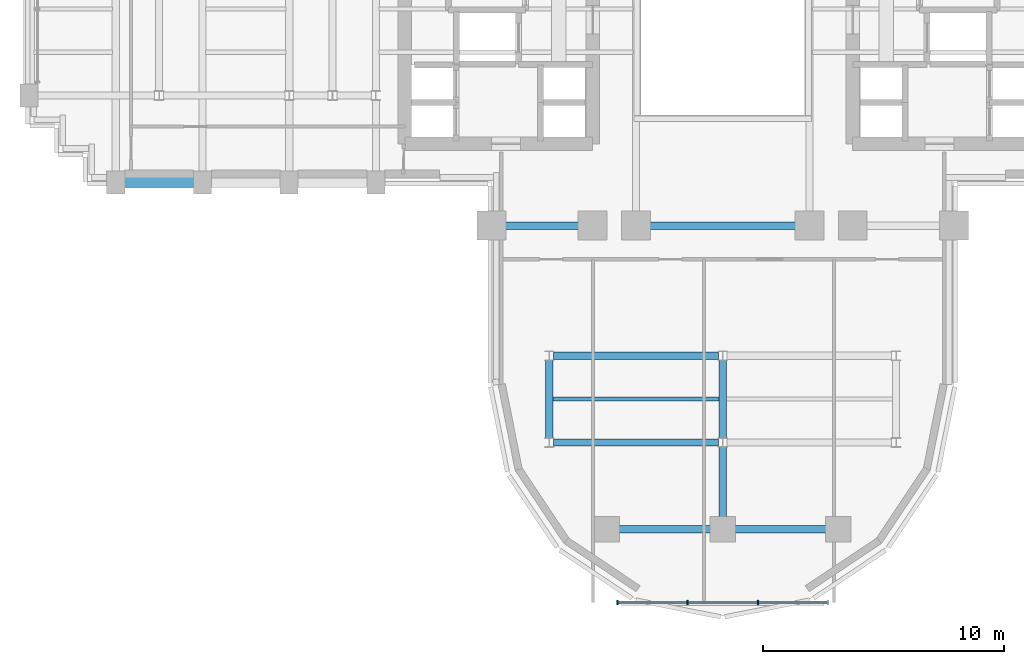
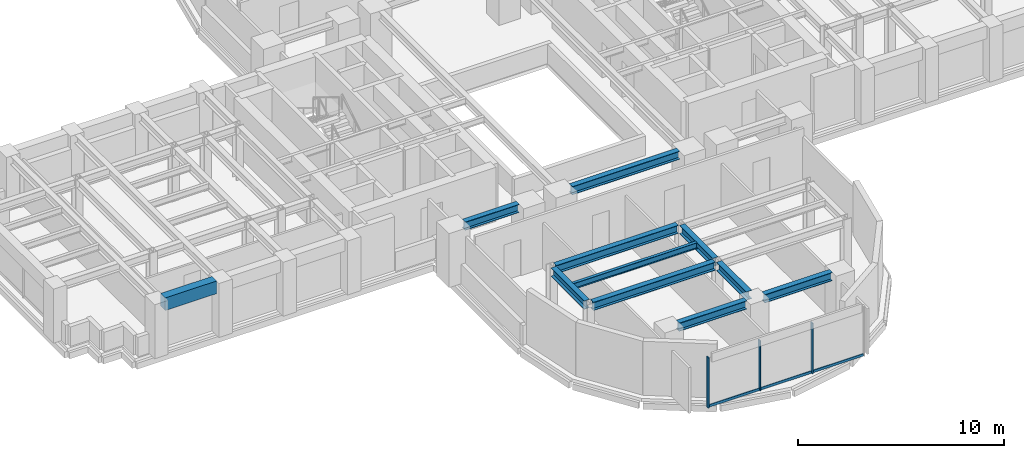
# One storey, part 3 of 16: 11 beams, 6 members, 1 element without a shape of its own.
"""IFC4 building model written with IfcOpenShell, lengths in metres."""

from ifc_helpers import new_model, si_unit, direction, frame, origin, origin_2d, place, context, subcontext, project, spatial, rectangle, i_section, extrude, source, transform, mapped, material, material_profile, profile_set, type_object, element, aggregate, save


model = new_model("IFC4")

# Units and contexts
model_context = context("Model", 3, precision=1e-05, world=origin(), true_north=direction((0.0, 1.0)))
body_context = subcontext(model_context, "Body", "Model", "MODEL_VIEW")
ifc_project = project(units=[si_unit("LENGTHUNIT", "METRE"), si_unit("AREAUNIT", "SQUARE_METRE"), si_unit("VOLUMEUNIT", "CUBIC_METRE"), si_unit("PLANEANGLEUNIT", "RADIAN"), si_unit("MASSUNIT", "GRAM", prefix="KILO")], contexts=[model_context])

# Site, building, storey
site_placement = place(None, origin())
site = spatial("IfcSite", under=ifc_project, at=site_placement, CompositionType="ELEMENT")
building_placement = place(site_placement, origin())
building = spatial("IfcBuilding", under=site, at=building_placement, Name="Keilestroom Media Tower", CompositionType="ELEMENT")
storey_placement = place(building_placement, frame((0.0, 0.0, 74.800048828125)))
storey = spatial("IfcBuildingStorey", under=building, at=storey_placement, Name="L19", CompositionType="ELEMENT", Elevation=74.800048828125)

# Beams
ifc_material_1 = material(Name="Precast concrete C40/50", Category="concrete")
ifc_material_profile_1 = material_profile(ifc_material_1, rectangle(XDim=0.449951171875, YDim=0.75, at=origin_2d()), Name="PC 450x750")
ifc_profile_set_1 = profile_set([ifc_material_profile_1], Name="Precast concrete C40/50")
beam_type_1 = type_object("IfcBeamType", Name="Perimeter-Spandrel-Beam-PC-450x750", PredefinedType="SPANDREL", material=ifc_profile_set_1)
shared_shape_1 = source(origin(), body_context, "Body", "SweptSolid", [
    extrude(rectangle(XDim=0.449951171875, YDim=0.75, at=origin_2d()), origin(), (0.0, 0.0, 1.0), 2.889892578125),
])
beam_1_placement = place(storey_placement, frame((-24.844970703125, -7.199951171875, 2.824951171875), z_axis=(1.0, 0.0, 0.0), x_axis=(0.0, 1.0, 0.0)))
element("IfcBeam", 1, at=beam_1_placement, inside=storey, type_object=beam_type_1, Name="L19 Beam SPB-1 BM-L19-EW-012", PredefinedType="SPANDREL", context=body_context, shape_type="MappedRepresentation", body=[
    mapped(shared_shape_1, transform((0.0, 0.0, 0.0), x_axis=(1.0, 0.0, 0.0), y_axis=(0.0, 1.0, 0.0), z_axis=(0.0, 0.0, 1.0), scale=1.0)),
])
ifc_material_2 = material(Name="Steel S355", Category="steel")
ifc_material_profile_2 = material_profile(ifc_material_2, i_section(OverallWidth=0.300048828125, OverallDepth=0.5, WebThickness=0.012451171875, FlangeThickness=0.028076171875, at=origin_2d()), Name="HEB 500")
ifc_profile_set_2 = profile_set([ifc_material_profile_2], Name="Steel S355")
beam_type_2 = type_object("IfcBeamType", Name="Primary-Structural-Girder-HEB-500", PredefinedType="BEAM", material=ifc_profile_set_2)
shared_shape_2 = source(origin(), body_context, "Body", "SweptSolid", [
    extrude(i_section(OverallWidth=0.300048828125, OverallDepth=0.5, WebThickness=0.012451171875, FlangeThickness=0.028076171875, at=origin_2d()), origin(), (0.0, 0.0, 1.0), 3.23291015625),
])
for number, where, z_axis, x_axis, name in (
    (2, (-7.199951171875, -17.81640625, 2.949951171875), (0.0, 1.0, 0.0), (-1.0, 0.0, 0.0), "L19 Beam BG-6 BM-L19-NS-063"),
    (3, (0.0, -17.81640625, 2.949951171875), (0.0, 1.0, 0.0), (-1.0, 0.0, 0.0), "L19 Beam BG-6 BM-L19-NS-068"),
):
    element("IfcBeam", number, at=place(storey_placement, frame(where, z_axis=z_axis, x_axis=x_axis)), inside=storey, type_object=beam_type_2, Name=name, PredefinedType="BEAM", context=body_context, shape_type="MappedRepresentation", body=[
        mapped(shared_shape_2, transform((0.0, 0.0, 0.0), x_axis=(1.0, 0.0, 0.0), y_axis=(0.0, 1.0, 0.0), z_axis=(0.0, 0.0, 1.0), scale=1.0)),
    ])
shared_shape_3 = source(origin(), body_context, "Body", "SweptSolid", [
    extrude(i_section(OverallWidth=0.300048828125, OverallDepth=0.5, WebThickness=0.012451171875, FlangeThickness=0.028076171875, at=origin_2d()), origin(), (0.0, 0.0, 1.0), 2.911376953125),
])
beam_2_placement = place(storey_placement, frame((0.0, -21.094970703125, 2.949951171875), z_axis=(0.0, 1.0, 0.0), x_axis=(-1.0, 0.0, 0.0)))
element("IfcBeam", 4, at=beam_2_placement, inside=storey, type_object=beam_type_2, Name="L19 Beam BG-6 BM-L19-NS-067", PredefinedType="BEAM", context=body_context, shape_type="MappedRepresentation", body=[
    mapped(shared_shape_3, transform((0.0, 0.0, 0.0), x_axis=(1.0, 0.0, 0.0), y_axis=(0.0, 1.0, 0.0), z_axis=(0.0, 0.0, 1.0), scale=1.0)),
])
ifc_material_profile_3 = material_profile(ifc_material_2, i_section(OverallWidth=0.300048828125, OverallDepth=0.489990234375, WebThickness=0.011962890625, FlangeThickness=0.02294921875, at=origin_2d()), Name="HEA 500")
ifc_profile_set_3 = profile_set([ifc_material_profile_3], Name="Steel S355")
beam_type_3 = type_object("IfcBeamType", Name="Primary-Structural-Girder-HEA-500", PredefinedType="BEAM", material=ifc_profile_set_3)
shared_shape_4 = source(origin(), body_context, "Body", "SweptSolid", [
    extrude(i_section(OverallWidth=0.300048828125, OverallDepth=0.489990234375, WebThickness=0.011962890625, FlangeThickness=0.02294921875, at=origin_2d()), origin(), (0.0, 0.0, 1.0), 3.7900390625),
])
for number, where, z_axis, x_axis, name in (
    (5, (-4.294921875, -21.60009765625, 2.954833984375), (1.0, 0.0, 0.0), (0.0, 1.0, 0.0), "L19 Beam BG-10 BM-L19-EW-001"),
    (6, (0.5048828125, -21.60009765625, 2.954833984375), (1.0, 0.0, 0.0), (0.0, 1.0, 0.0), "L19 Beam BG-10 BM-L19-EW-002"),
):
    element("IfcBeam", number, at=place(storey_placement, frame(where, z_axis=z_axis, x_axis=x_axis)), inside=storey, type_object=beam_type_3, Name=name, PredefinedType="BEAM", context=body_context, shape_type="MappedRepresentation", body=[
        mapped(shared_shape_4, transform((0.0, 0.0, 0.0), x_axis=(1.0, 0.0, 0.0), y_axis=(0.0, 1.0, 0.0), z_axis=(0.0, 0.0, 1.0), scale=1.0)),
    ])
shared_shape_5 = source(origin(), body_context, "Body", "SweptSolid", [
    extrude(i_section(OverallWidth=0.300048828125, OverallDepth=0.489990234375, WebThickness=0.011962890625, FlangeThickness=0.02294921875, at=origin_2d()), origin(), (0.0, 0.0, 1.0), 6.836181640625),
])
for number, where, z_axis, x_axis, name in (
    (7, (-7.01806640625, -18.0, 2.954833984375), (1.0, 0.0, 0.0), (0.0, 1.0, 0.0), "L19 Beam BG-10 BM-L19-EW-003"),
    (8, (-7.01806640625, -14.39990234375, 2.954833984375), (1.0, 0.0, 0.0), (0.0, 1.0, 0.0), "L19 Beam BG-10 BM-L19-EW-005"),
):
    element("IfcBeam", number, at=place(storey_placement, frame(where, z_axis=z_axis, x_axis=x_axis)), inside=storey, type_object=beam_type_3, Name=name, PredefinedType="BEAM", context=body_context, shape_type="MappedRepresentation", body=[
        mapped(shared_shape_5, transform((0.0, 0.0, 0.0), x_axis=(1.0, 0.0, 0.0), y_axis=(0.0, 1.0, 0.0), z_axis=(0.0, 0.0, 1.0), scale=1.0)),
    ])
shared_shape_6 = source(origin(), body_context, "Body", "SweptSolid", [
    extrude(i_section(OverallWidth=0.300048828125, OverallDepth=0.489990234375, WebThickness=0.011962890625, FlangeThickness=0.02294921875, at=origin_2d()), origin(), (0.0, 0.0, 1.0), 3.0400390625),
])
beam_3_placement = place(storey_placement, frame((-9.02001953125, -9.0, 2.954833984375), z_axis=(1.0, 0.0, 0.0), x_axis=(0.0, 1.0, 0.0)))
element("IfcBeam", 9, at=beam_3_placement, inside=storey, type_object=beam_type_3, Name="L19 Beam BG-10 BM-L19-EW-007", PredefinedType="BEAM", context=body_context, shape_type="MappedRepresentation", body=[
    mapped(shared_shape_6, transform((0.0, 0.0, 0.0), x_axis=(1.0, 0.0, 0.0), y_axis=(0.0, 1.0, 0.0), z_axis=(0.0, 0.0, 1.0), scale=1.0)),
])
shared_shape_7 = source(origin(), body_context, "Body", "SweptSolid", [
    extrude(i_section(OverallWidth=0.300048828125, OverallDepth=0.489990234375, WebThickness=0.011962890625, FlangeThickness=0.02294921875, at=origin_2d()), origin(), (0.0, 0.0, 1.0), 6.0400390625),
])
beam_4_placement = place(storey_placement, frame((-3.02001953125, -9.0, 2.954833984375), z_axis=(1.0, 0.0, 0.0), x_axis=(0.0, 1.0, 0.0)))
element("IfcBeam", 10, at=beam_4_placement, inside=storey, type_object=beam_type_3, Name="L19 Beam BG-10 BM-L19-EW-009", PredefinedType="BEAM", context=body_context, shape_type="MappedRepresentation", body=[
    mapped(shared_shape_7, transform((0.0, 0.0, 0.0), x_axis=(1.0, 0.0, 0.0), y_axis=(0.0, 1.0, 0.0), z_axis=(0.0, 0.0, 1.0), scale=1.0)),
])
ifc_material_profile_4 = material_profile(ifc_material_2, i_section(OverallWidth=0.169921875, OverallDepth=0.360107421875, WebThickness=0.008056640625, FlangeThickness=0.0126953125, at=origin_2d()), Name="IPE 360")
ifc_profile_set_4 = profile_set([ifc_material_profile_4], Name="Steel S355")
beam_type_4 = type_object("IfcBeamType", Name="Secondary-Floor-Joist-IPE-360", PredefinedType="JOIST", material=ifc_profile_set_4)
shared_shape_8 = source(origin(), body_context, "Body", "SweptSolid", [
    extrude(i_section(OverallWidth=0.169921875, OverallDepth=0.360107421875, WebThickness=0.008056640625, FlangeThickness=0.0126953125, at=origin_2d()), origin(), (0.0, 0.0, 1.0), 6.940185546875),
])
beam_5_placement = place(storey_placement, frame((-7.070068359375, -16.199951171875, 3.02001953125), z_axis=(1.0, 0.0, 0.0), x_axis=(0.0, 1.0, 0.0)))
element("IfcBeam", 11, at=beam_5_placement, inside=storey, type_object=beam_type_4, Name="L19 Beam BJ-5 JST-L19-087", PredefinedType="JOIST", context=body_context, shape_type="MappedRepresentation", body=[
    mapped(shared_shape_8, transform((0.0, 0.0, 0.0), x_axis=(1.0, 0.0, 0.0), y_axis=(0.0, 1.0, 0.0), z_axis=(0.0, 0.0, 1.0), scale=1.0)),
])

# Curtain wall, members
ifc_material_3 = material(Name="Anodised Aluminium Alloy", Category="aluminium")
curtain_wall_type = type_object("IfcCurtainWallType", Name="Unitised-Curtain-Wall-CW-6", PredefinedType="NOTDEFINED", material=ifc_material_3)
curtain_wall_placement = place(storey_placement, origin())
curtain_wall = element("IfcCurtainWall", 12, at=curtain_wall_placement, inside=storey, type_object=curtain_wall_type, Name="L19 Curtain Wall CW-6 CW-L19-LS-1", PredefinedType="NOTDEFINED")
ifc_material_profile_5 = material_profile(ifc_material_3, rectangle(XDim=0.06494140625, YDim=0.179931640625, at=origin_2d()), Name="ALU MULLION 65x180")
ifc_profile_set_5 = profile_set([ifc_material_profile_5], Name="Anodised Aluminium Alloy")
member_type_1 = type_object("IfcMemberType", Name="Curtain-Wall-Mullion-CW-6", PredefinedType="MULLION", material=ifc_profile_set_5)
shared_shape_9 = source(origin(), body_context, "Body", "SweptSolid", [
    extrude(rectangle(XDim=0.06494140625, YDim=0.179931640625, at=origin_2d()), origin(), (0.0, 0.0, 1.0), 2.97998046875),
])
member_1_placement = place(storey_placement, frame((-4.367431640625, -24.64990234375, 0.0), z_axis=(0.0, 0.0, 1.0), x_axis=(1.0, 0.0, 0.0)))
member_1 = element("IfcMember", 13, at=member_1_placement, type_object=member_type_1, Name="CW-6 Mullion 00", PredefinedType="MULLION", context=body_context, shape_type="MappedRepresentation", body=[
    mapped(shared_shape_9, transform((0.0, 0.0, 0.0), x_axis=(1.0, 0.0, 0.0), y_axis=(0.0, 1.0, 0.0), z_axis=(0.0, 0.0, 1.0), scale=1.0)),
])
member_2_placement = place(storey_placement, frame((-1.466796875, -24.64990234375, 0.0), z_axis=(0.0, 0.0, 1.0), x_axis=(1.0, 0.0, 0.0)))
member_2 = element("IfcMember", 14, at=member_2_placement, type_object=member_type_1, Name="CW-6 Mullion 01", PredefinedType="MULLION", context=body_context, shape_type="MappedRepresentation", body=[
    mapped(shared_shape_9, transform((0.0, 0.0, 0.0), x_axis=(1.0, 0.0, 0.0), y_axis=(0.0, 1.0, 0.0), z_axis=(0.0, 0.0, 1.0), scale=1.0)),
])
member_3_placement = place(storey_placement, frame((1.466796875, -24.64990234375, 0.0), z_axis=(0.0, 0.0, 1.0), x_axis=(1.0, 0.0, 0.0)))
member_3 = element("IfcMember", 15, at=member_3_placement, type_object=member_type_1, Name="CW-6 Mullion 02", PredefinedType="MULLION", context=body_context, shape_type="MappedRepresentation", body=[
    mapped(shared_shape_9, transform((0.0, 0.0, 0.0), x_axis=(1.0, 0.0, 0.0), y_axis=(0.0, 1.0, 0.0), z_axis=(0.0, 0.0, 1.0), scale=1.0)),
])
ifc_material_profile_6 = material_profile(ifc_material_3, rectangle(XDim=0.06494140625, YDim=0.14990234375, at=origin_2d()), Name="ALU TRANSOM 65x150")
ifc_profile_set_6 = profile_set([ifc_material_profile_6], Name="Anodised Aluminium Alloy")
member_type_2 = type_object("IfcMemberType", Name="Curtain-Wall-Transom-CW-6", PredefinedType="USERDEFINED", material=ifc_profile_set_6)
shared_shape_10 = source(origin(), body_context, "Body", "SweptSolid", [
    extrude(rectangle(XDim=0.06494140625, YDim=0.14990234375, at=origin_2d()), origin(), (0.0, 0.0, 1.0), 2.839599609375),
])
member_4_placement = place(storey_placement, frame((-4.3369140625, -24.64990234375, 0.074951171875), z_axis=(1.0, 0.0, 0.0), x_axis=(0.0, 1.0, 0.0)))
member_4 = element("IfcMember", 16, at=member_4_placement, type_object=member_type_2, Name="CW-6 Transom 00.1", ObjectType="TRANSOM", PredefinedType="USERDEFINED", context=body_context, shape_type="MappedRepresentation", body=[
    mapped(shared_shape_10, transform((0.0, 0.0, 0.0), x_axis=(1.0, 0.0, 0.0), y_axis=(0.0, 1.0, 0.0), z_axis=(0.0, 0.0, 1.0), scale=1.0)),
])
member_5_placement = place(storey_placement, frame((1.497314453125, -24.64990234375, 0.074951171875), z_axis=(1.0, 0.0, 0.0), x_axis=(0.0, 1.0, 0.0)))
member_5 = element("IfcMember", 17, at=member_5_placement, type_object=member_type_2, Name="CW-6 Transom 02.1", ObjectType="TRANSOM", PredefinedType="USERDEFINED", context=body_context, shape_type="MappedRepresentation", body=[
    mapped(shared_shape_10, transform((0.0, 0.0, 0.0), x_axis=(1.0, 0.0, 0.0), y_axis=(0.0, 1.0, 0.0), z_axis=(0.0, 0.0, 1.0), scale=1.0)),
])
shared_shape_11 = source(origin(), body_context, "Body", "SweptSolid", [
    extrude(rectangle(XDim=0.06494140625, YDim=0.14990234375, at=origin_2d()), origin(), (0.0, 0.0, 1.0), 2.87255859375),
])
member_6_placement = place(storey_placement, frame((-1.436279296875, -24.64990234375, 0.074951171875), z_axis=(1.0, 0.0, 0.0), x_axis=(0.0, 1.0, 0.0)))
member_6 = element("IfcMember", 18, at=member_6_placement, type_object=member_type_2, Name="CW-6 Transom 01.1", ObjectType="TRANSOM", PredefinedType="USERDEFINED", context=body_context, shape_type="MappedRepresentation", body=[
    mapped(shared_shape_11, transform((0.0, 0.0, 0.0), x_axis=(1.0, 0.0, 0.0), y_axis=(0.0, 1.0, 0.0), z_axis=(0.0, 0.0, 1.0), scale=1.0)),
])
aggregate(curtain_wall, [member_1, member_2, member_3, member_4, member_6, member_5])

save(model, "model.ifc")
